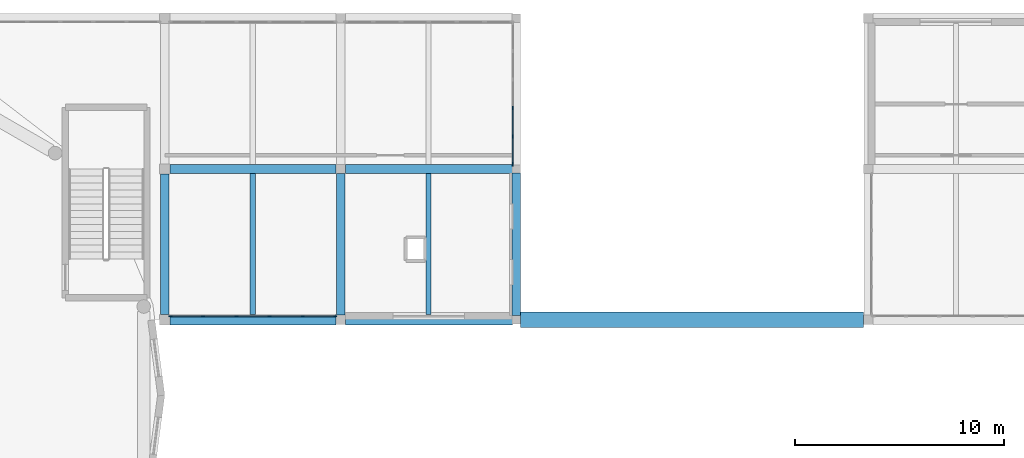
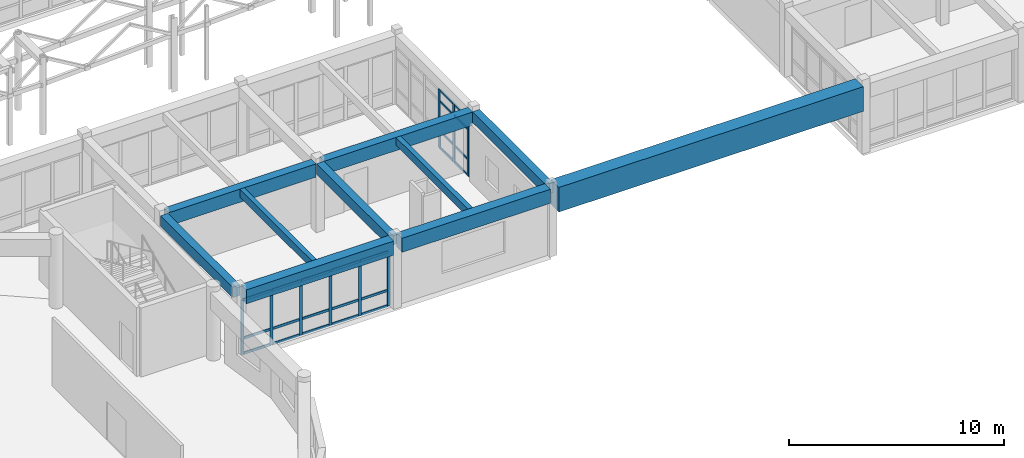
# One storey, part 34 of 147: 32 members, 10 beams, 2 elements without a shape of their own.
"""IFC4 building model written with IfcOpenShell, lengths in metres."""

from ifc_helpers import new_model, si_unit, direction, frame, origin, origin_2d, place, context, subcontext, project, spatial, rectangle, extrude, material, material_profile, profile_set, type_object, element, aggregate, save


model = new_model("IFC4")

# Units and contexts
model_context = context("Model", 3, precision=1e-05, world=origin(), true_north=direction((0.0, 1.0)))
body_context = subcontext(model_context, "Body", "Model", "MODEL_VIEW")
ifc_project = project(units=[si_unit("LENGTHUNIT", "METRE"), si_unit("AREAUNIT", "SQUARE_METRE"), si_unit("VOLUMEUNIT", "CUBIC_METRE"), si_unit("PLANEANGLEUNIT", "RADIAN"), si_unit("MASSUNIT", "GRAM", prefix="KILO")], contexts=[model_context])

# Site, building, storey
site_placement = place(None, origin())
site = spatial("IfcSite", under=ifc_project, at=site_placement, CompositionType="ELEMENT")
building_placement = place(site_placement, origin())
building = spatial("IfcBuilding", under=site, at=building_placement, Name="Malvenik Polytechnic", CompositionType="ELEMENT")
storey_placement = place(building_placement, frame((0.0, 0.0, 5.10009765625)))
storey = spatial("IfcBuildingStorey", under=building, at=storey_placement, Name="L01", CompositionType="ELEMENT", Elevation=5.10009765625)

# Curtain wall, members
ifc_material_1 = material(Name="Anodised aluminium 6060-T6", Category="aluminium")
curtain_wall_type_1 = type_object("IfcCurtainWallType", Name="ARC-CW-CW-02", PredefinedType="NOTDEFINED", material=ifc_material_1)
curtain_wall_1_placement = place(storey_placement, origin())
curtain_wall_1 = element("IfcCurtainWall", 1, at=curtain_wall_1_placement, inside=storey, type_object=curtain_wall_type_1, Name="Unitised Curtain Wall CW-02 L01 #134", PredefinedType="NOTDEFINED")
ifc_material_2 = material(Name="Anodised aluminium", Category="aluminium")
ifc_material_profile_1 = material_profile(ifc_material_2, rectangle(XDim=0.06005859375, YDim=0.159912109375, at=origin_2d()), Name="ALU MULLION 60x160")
ifc_profile_set_1 = profile_set([ifc_material_profile_1], Name="Anodised aluminium")
member_type_1 = type_object("IfcMemberType", Name="ARC-CWM-160", PredefinedType="MULLION", material=ifc_profile_set_1)
member_1_placement = place(storey_placement, frame((41.7470703125, 21.77001953125, 0.0), z_axis=(0.0, 0.0, 1.0), x_axis=(0.0, -1.0, 0.0)))
member_1 = element("IfcMember", 2, at=member_1_placement, type_object=member_type_1, Name="CW-02 mullion 1", PredefinedType="MULLION", context=body_context, shape_type="SweptSolid", body=[
    extrude(rectangle(XDim=0.06005859375, YDim=0.159912109375, at=origin_2d()), origin(), (0.0, 0.0, 1.0), 3.10986328125),
])
member_2_placement = place(storey_placement, frame((40.191162109375, 21.77001953125, 0.0), z_axis=(0.0, 0.0, 1.0), x_axis=(0.0, -1.0, 0.0)))
member_2 = element("IfcMember", 3, at=member_2_placement, type_object=member_type_1, Name="CW-02 mullion 2", PredefinedType="MULLION", context=body_context, shape_type="SweptSolid", body=[
    extrude(rectangle(XDim=0.06005859375, YDim=0.159912109375, at=origin_2d()), origin(), (0.0, 0.0, 1.0), 3.10986328125),
])
member_3_placement = place(storey_placement, frame((38.60546875, 21.77001953125, 0.0), z_axis=(0.0, 0.0, 1.0), x_axis=(0.0, -1.0, 0.0)))
member_3 = element("IfcMember", 4, at=member_3_placement, type_object=member_type_1, Name="CW-02 mullion 3", PredefinedType="MULLION", context=body_context, shape_type="SweptSolid", body=[
    extrude(rectangle(XDim=0.06005859375, YDim=0.159912109375, at=origin_2d()), origin(), (0.0, 0.0, 1.0), 3.10986328125),
])
member_4_placement = place(storey_placement, frame((37.01953125, 21.77001953125, 0.0), z_axis=(0.0, 0.0, 1.0), x_axis=(0.0, -1.0, 0.0)))
member_4 = element("IfcMember", 5, at=member_4_placement, type_object=member_type_1, Name="CW-02 mullion 4", PredefinedType="MULLION", context=body_context, shape_type="SweptSolid", body=[
    extrude(rectangle(XDim=0.06005859375, YDim=0.159912109375, at=origin_2d()), origin(), (0.0, 0.0, 1.0), 3.10986328125),
])
member_5_placement = place(storey_placement, frame((35.433837890625, 21.77001953125, 0.0), z_axis=(0.0, 0.0, 1.0), x_axis=(0.0, -1.0, 0.0)))
member_5 = element("IfcMember", 6, at=member_5_placement, type_object=member_type_1, Name="CW-02 mullion 5", PredefinedType="MULLION", context=body_context, shape_type="SweptSolid", body=[
    extrude(rectangle(XDim=0.06005859375, YDim=0.159912109375, at=origin_2d()), origin(), (0.0, 0.0, 1.0), 3.10986328125),
])
member_6_placement = place(storey_placement, frame((33.8779296875, 21.77001953125, 0.0), z_axis=(0.0, 0.0, 1.0), x_axis=(0.0, -1.0, 0.0)))
member_6 = element("IfcMember", 7, at=member_6_placement, type_object=member_type_1, Name="CW-02 mullion 6", PredefinedType="MULLION", context=body_context, shape_type="SweptSolid", body=[
    extrude(rectangle(XDim=0.06005859375, YDim=0.159912109375, at=origin_2d()), origin(), (0.0, 0.0, 1.0), 3.10986328125),
])

curtain_wall_type_2 = type_object("IfcCurtainWallType", Name="ARC-CW-CW-05", PredefinedType="NOTDEFINED", material=ifc_material_1)
curtain_wall_2_placement = place(storey_placement, origin())
curtain_wall_2 = element("IfcCurtainWall", 8, at=curtain_wall_2_placement, inside=storey, type_object=curtain_wall_type_2, Name="Unitised Curtain Wall CW-05 L01 #133", PredefinedType="NOTDEFINED")
ifc_material_profile_2 = material_profile(ifc_material_2, rectangle(XDim=0.06005859375, YDim=0.179931640625, at=origin_2d()), Name="ALU MULLION 60x180")
ifc_profile_set_2 = profile_set([ifc_material_profile_2], Name="Anodised aluminium")
member_type_2 = type_object("IfcMemberType", Name="ARC-CWM-180", PredefinedType="MULLION", material=ifc_profile_set_2)
member_7_placement = place(storey_placement, frame((50.22998046875, 31.719482421875, 0.0), z_axis=(0.0, 0.0, 1.0), x_axis=(1.0, 0.0, 0.0)))
member_7 = element("IfcMember", 9, at=member_7_placement, type_object=member_type_2, Name="CW-05 mullion 4", PredefinedType="MULLION", context=body_context, shape_type="SweptSolid", body=[
    extrude(rectangle(XDim=0.06005859375, YDim=0.179931640625, at=origin_2d()), origin(), (0.0, 0.0, 1.0), 3.309814453125),
])
member_8_placement = place(storey_placement, frame((50.22998046875, 30.35888671875, 0.0), z_axis=(0.0, 0.0, 1.0), x_axis=(1.0, 0.0, 0.0)))
member_8 = element("IfcMember", 10, at=member_8_placement, type_object=member_type_2, Name="CW-05 mullion 5", PredefinedType="MULLION", context=body_context, shape_type="SweptSolid", body=[
    extrude(rectangle(XDim=0.06005859375, YDim=0.179931640625, at=origin_2d()), origin(), (0.0, 0.0, 1.0), 3.309814453125),
])
member_9_placement = place(storey_placement, frame((50.22998046875, 29.028076171875, 0.0), z_axis=(0.0, 0.0, 1.0), x_axis=(1.0, 0.0, 0.0)))
member_9 = element("IfcMember", 11, at=member_9_placement, type_object=member_type_2, Name="CW-05 mullion 6", PredefinedType="MULLION", context=body_context, shape_type="SweptSolid", body=[
    extrude(rectangle(XDim=0.06005859375, YDim=0.179931640625, at=origin_2d()), origin(), (0.0, 0.0, 1.0), 3.309814453125),
])
ifc_material_profile_3 = material_profile(ifc_material_2, rectangle(XDim=0.06005859375, YDim=0.1201171875, at=origin_2d()), Name="ALU TRANSOM 60x120")
ifc_profile_set_3 = profile_set([ifc_material_profile_3], Name="Anodised aluminium")
member_type_3 = type_object("IfcMemberType", Name="ARC-CWT-120", PredefinedType="USERDEFINED", material=ifc_profile_set_3)
member_10_placement = place(storey_placement, frame((50.22998046875, 31.689697265625, 0.02978515625), z_axis=(0.0, -1.0, 0.0), x_axis=(1.0, 0.0, 0.0)))
member_10 = element("IfcMember", 12, at=member_10_placement, type_object=member_type_3, Name="CW-05 transom 4.1", ObjectType="TRANSOM", PredefinedType="USERDEFINED", context=body_context, shape_type="SweptSolid", body=[
    extrude(rectangle(XDim=0.06005859375, YDim=0.1201171875, at=origin_2d()), origin(), (0.0, 0.0, 1.0), 1.30078125),
])
member_11_placement = place(storey_placement, frame((50.22998046875, 31.689697265625, 0.949951171875), z_axis=(0.0, -1.0, 0.0), x_axis=(1.0, 0.0, 0.0)))
member_11 = element("IfcMember", 13, at=member_11_placement, type_object=member_type_3, Name="CW-05 transom 4.2", ObjectType="TRANSOM", PredefinedType="USERDEFINED", context=body_context, shape_type="SweptSolid", body=[
    extrude(rectangle(XDim=0.06005859375, YDim=0.1201171875, at=origin_2d()), origin(), (0.0, 0.0, 1.0), 1.30078125),
])
member_12_placement = place(storey_placement, frame((50.22998046875, 31.689697265625, 2.659912109375), z_axis=(0.0, -1.0, 0.0), x_axis=(1.0, 0.0, 0.0)))
member_12 = element("IfcMember", 14, at=member_12_placement, type_object=member_type_3, Name="CW-05 transom 4.3", ObjectType="TRANSOM", PredefinedType="USERDEFINED", context=body_context, shape_type="SweptSolid", body=[
    extrude(rectangle(XDim=0.06005859375, YDim=0.1201171875, at=origin_2d()), origin(), (0.0, 0.0, 1.0), 1.30078125),
])
member_13_placement = place(storey_placement, frame((50.22998046875, 31.689697265625, 3.27978515625), z_axis=(0.0, -1.0, 0.0), x_axis=(1.0, 0.0, 0.0)))
member_13 = element("IfcMember", 15, at=member_13_placement, type_object=member_type_3, Name="CW-05 transom 4.4", ObjectType="TRANSOM", PredefinedType="USERDEFINED", context=body_context, shape_type="SweptSolid", body=[
    extrude(rectangle(XDim=0.06005859375, YDim=0.1201171875, at=origin_2d()), origin(), (0.0, 0.0, 1.0), 1.30078125),
])
member_14_placement = place(storey_placement, frame((50.22998046875, 30.328857421875, 0.02978515625), z_axis=(0.0, -1.0, 0.0), x_axis=(1.0, 0.0, 0.0)))
member_14 = element("IfcMember", 16, at=member_14_placement, type_object=member_type_3, Name="CW-05 transom 5.1", ObjectType="TRANSOM", PredefinedType="USERDEFINED", context=body_context, shape_type="SweptSolid", body=[
    extrude(rectangle(XDim=0.06005859375, YDim=0.1201171875, at=origin_2d()), origin(), (0.0, 0.0, 1.0), 1.270751953125),
])
member_15_placement = place(storey_placement, frame((50.22998046875, 30.328857421875, 0.949951171875), z_axis=(0.0, -1.0, 0.0), x_axis=(1.0, 0.0, 0.0)))
member_15 = element("IfcMember", 17, at=member_15_placement, type_object=member_type_3, Name="CW-05 transom 5.2", ObjectType="TRANSOM", PredefinedType="USERDEFINED", context=body_context, shape_type="SweptSolid", body=[
    extrude(rectangle(XDim=0.06005859375, YDim=0.1201171875, at=origin_2d()), origin(), (0.0, 0.0, 1.0), 1.270751953125),
])
member_16_placement = place(storey_placement, frame((50.22998046875, 30.328857421875, 2.659912109375), z_axis=(0.0, -1.0, 0.0), x_axis=(1.0, 0.0, 0.0)))
member_16 = element("IfcMember", 18, at=member_16_placement, type_object=member_type_3, Name="CW-05 transom 5.3", ObjectType="TRANSOM", PredefinedType="USERDEFINED", context=body_context, shape_type="SweptSolid", body=[
    extrude(rectangle(XDim=0.06005859375, YDim=0.1201171875, at=origin_2d()), origin(), (0.0, 0.0, 1.0), 1.270751953125),
])
member_17_placement = place(storey_placement, frame((50.22998046875, 30.328857421875, 3.27978515625), z_axis=(0.0, -1.0, 0.0), x_axis=(1.0, 0.0, 0.0)))
member_17 = element("IfcMember", 19, at=member_17_placement, type_object=member_type_3, Name="CW-05 transom 5.4", ObjectType="TRANSOM", PredefinedType="USERDEFINED", context=body_context, shape_type="SweptSolid", body=[
    extrude(rectangle(XDim=0.06005859375, YDim=0.1201171875, at=origin_2d()), origin(), (0.0, 0.0, 1.0), 1.270751953125),
])
aggregate(curtain_wall_2, [member_7, member_8, member_9, member_10, member_11, member_12, member_13, member_14, member_15, member_16, member_17])

# Member
ifc_material_profile_4 = material_profile(ifc_material_2, rectangle(XDim=0.06005859375, YDim=0.139892578125, at=origin_2d()), Name="ALU TRANSOM 60x140")
ifc_profile_set_4 = profile_set([ifc_material_profile_4], Name="Anodised aluminium")
member_type_4 = type_object("IfcMemberType", Name="ARC-CWT-140", PredefinedType="USERDEFINED", material=ifc_profile_set_4)
member_18_placement = place(storey_placement, frame((41.717041015625, 21.77001953125, 0.02978515625), z_axis=(-1.0, 0.0, 0.0), x_axis=(0.0, -1.0, 0.0)))
member_18 = element("IfcMember", 20, at=member_18_placement, type_object=member_type_4, Name="CW-02 transom 1.1", ObjectType="TRANSOM", PredefinedType="USERDEFINED", context=body_context, shape_type="SweptSolid", body=[
    extrude(rectangle(XDim=0.06005859375, YDim=0.139892578125, at=origin_2d()), origin(), (0.0, 0.0, 1.0), 1.495849609375),
])

member_19_placement = place(storey_placement, frame((41.717041015625, 21.77001953125, 0.89990234375), z_axis=(-1.0, 0.0, 0.0), x_axis=(0.0, -1.0, 0.0)))
member_19 = element("IfcMember", 21, at=member_19_placement, type_object=member_type_4, Name="CW-02 transom 1.2", ObjectType="TRANSOM", PredefinedType="USERDEFINED", context=body_context, shape_type="SweptSolid", body=[
    extrude(rectangle(XDim=0.06005859375, YDim=0.139892578125, at=origin_2d()), origin(), (0.0, 0.0, 1.0), 1.495849609375),
])

member_20_placement = place(storey_placement, frame((41.717041015625, 21.77001953125, 3.079833984375), z_axis=(-1.0, 0.0, 0.0), x_axis=(0.0, -1.0, 0.0)))
member_20 = element("IfcMember", 22, at=member_20_placement, type_object=member_type_4, Name="CW-02 transom 1.3", ObjectType="TRANSOM", PredefinedType="USERDEFINED", context=body_context, shape_type="SweptSolid", body=[
    extrude(rectangle(XDim=0.06005859375, YDim=0.139892578125, at=origin_2d()), origin(), (0.0, 0.0, 1.0), 1.495849609375),
])

member_21_placement = place(storey_placement, frame((40.1611328125, 21.77001953125, 0.02978515625), z_axis=(-1.0, 0.0, 0.0), x_axis=(0.0, -1.0, 0.0)))
member_21 = element("IfcMember", 23, at=member_21_placement, type_object=member_type_4, Name="CW-02 transom 2.1", ObjectType="TRANSOM", PredefinedType="USERDEFINED", context=body_context, shape_type="SweptSolid", body=[
    extrude(rectangle(XDim=0.06005859375, YDim=0.139892578125, at=origin_2d()), origin(), (0.0, 0.0, 1.0), 1.525634765625),
])

member_22_placement = place(storey_placement, frame((40.1611328125, 21.77001953125, 0.89990234375), z_axis=(-1.0, 0.0, 0.0), x_axis=(0.0, -1.0, 0.0)))
member_22 = element("IfcMember", 24, at=member_22_placement, type_object=member_type_4, Name="CW-02 transom 2.2", ObjectType="TRANSOM", PredefinedType="USERDEFINED", context=body_context, shape_type="SweptSolid", body=[
    extrude(rectangle(XDim=0.06005859375, YDim=0.139892578125, at=origin_2d()), origin(), (0.0, 0.0, 1.0), 1.525634765625),
])

member_23_placement = place(storey_placement, frame((40.1611328125, 21.77001953125, 3.079833984375), z_axis=(-1.0, 0.0, 0.0), x_axis=(0.0, -1.0, 0.0)))
member_23 = element("IfcMember", 25, at=member_23_placement, type_object=member_type_4, Name="CW-02 transom 2.3", ObjectType="TRANSOM", PredefinedType="USERDEFINED", context=body_context, shape_type="SweptSolid", body=[
    extrude(rectangle(XDim=0.06005859375, YDim=0.139892578125, at=origin_2d()), origin(), (0.0, 0.0, 1.0), 1.525634765625),
])

member_24_placement = place(storey_placement, frame((38.575439453125, 21.77001953125, 0.02978515625), z_axis=(-1.0, 0.0, 0.0), x_axis=(0.0, -1.0, 0.0)))
member_24 = element("IfcMember", 26, at=member_24_placement, type_object=member_type_4, Name="CW-02 transom 3.1", ObjectType="TRANSOM", PredefinedType="USERDEFINED", context=body_context, shape_type="SweptSolid", body=[
    extrude(rectangle(XDim=0.06005859375, YDim=0.139892578125, at=origin_2d()), origin(), (0.0, 0.0, 1.0), 1.52587890625),
])

member_25_placement = place(storey_placement, frame((38.575439453125, 21.77001953125, 0.89990234375), z_axis=(-1.0, 0.0, 0.0), x_axis=(0.0, -1.0, 0.0)))
member_25 = element("IfcMember", 27, at=member_25_placement, type_object=member_type_4, Name="CW-02 transom 3.2", ObjectType="TRANSOM", PredefinedType="USERDEFINED", context=body_context, shape_type="SweptSolid", body=[
    extrude(rectangle(XDim=0.06005859375, YDim=0.139892578125, at=origin_2d()), origin(), (0.0, 0.0, 1.0), 1.52587890625),
])

member_26_placement = place(storey_placement, frame((38.575439453125, 21.77001953125, 3.079833984375), z_axis=(-1.0, 0.0, 0.0), x_axis=(0.0, -1.0, 0.0)))
member_26 = element("IfcMember", 28, at=member_26_placement, type_object=member_type_4, Name="CW-02 transom 3.3", ObjectType="TRANSOM", PredefinedType="USERDEFINED", context=body_context, shape_type="SweptSolid", body=[
    extrude(rectangle(XDim=0.06005859375, YDim=0.139892578125, at=origin_2d()), origin(), (0.0, 0.0, 1.0), 1.52587890625),
])

member_27_placement = place(storey_placement, frame((36.989501953125, 21.77001953125, 0.02978515625), z_axis=(-1.0, 0.0, 0.0), x_axis=(0.0, -1.0, 0.0)))
member_27 = element("IfcMember", 29, at=member_27_placement, type_object=member_type_4, Name="CW-02 transom 4.1", ObjectType="TRANSOM", PredefinedType="USERDEFINED", context=body_context, shape_type="SweptSolid", body=[
    extrude(rectangle(XDim=0.06005859375, YDim=0.139892578125, at=origin_2d()), origin(), (0.0, 0.0, 1.0), 1.525634765625),
])

member_28_placement = place(storey_placement, frame((36.989501953125, 21.77001953125, 0.89990234375), z_axis=(-1.0, 0.0, 0.0), x_axis=(0.0, -1.0, 0.0)))
member_28 = element("IfcMember", 30, at=member_28_placement, type_object=member_type_4, Name="CW-02 transom 4.2", ObjectType="TRANSOM", PredefinedType="USERDEFINED", context=body_context, shape_type="SweptSolid", body=[
    extrude(rectangle(XDim=0.06005859375, YDim=0.139892578125, at=origin_2d()), origin(), (0.0, 0.0, 1.0), 1.525634765625),
])

member_29_placement = place(storey_placement, frame((36.989501953125, 21.77001953125, 3.079833984375), z_axis=(-1.0, 0.0, 0.0), x_axis=(0.0, -1.0, 0.0)))
member_29 = element("IfcMember", 31, at=member_29_placement, type_object=member_type_4, Name="CW-02 transom 4.3", ObjectType="TRANSOM", PredefinedType="USERDEFINED", context=body_context, shape_type="SweptSolid", body=[
    extrude(rectangle(XDim=0.06005859375, YDim=0.139892578125, at=origin_2d()), origin(), (0.0, 0.0, 1.0), 1.525634765625),
])

member_30_placement = place(storey_placement, frame((35.40380859375, 21.77001953125, 0.02978515625), z_axis=(-1.0, 0.0, 0.0), x_axis=(0.0, -1.0, 0.0)))
member_30 = element("IfcMember", 32, at=member_30_placement, type_object=member_type_4, Name="CW-02 transom 5.1", ObjectType="TRANSOM", PredefinedType="USERDEFINED", context=body_context, shape_type="SweptSolid", body=[
    extrude(rectangle(XDim=0.06005859375, YDim=0.139892578125, at=origin_2d()), origin(), (0.0, 0.0, 1.0), 1.495849609375),
])

member_31_placement = place(storey_placement, frame((35.40380859375, 21.77001953125, 0.89990234375), z_axis=(-1.0, 0.0, 0.0), x_axis=(0.0, -1.0, 0.0)))
member_31 = element("IfcMember", 33, at=member_31_placement, type_object=member_type_4, Name="CW-02 transom 5.2", ObjectType="TRANSOM", PredefinedType="USERDEFINED", context=body_context, shape_type="SweptSolid", body=[
    extrude(rectangle(XDim=0.06005859375, YDim=0.139892578125, at=origin_2d()), origin(), (0.0, 0.0, 1.0), 1.495849609375),
])

member_32_placement = place(storey_placement, frame((35.40380859375, 21.77001953125, 3.079833984375), z_axis=(-1.0, 0.0, 0.0), x_axis=(0.0, -1.0, 0.0)))
member_32 = element("IfcMember", 34, at=member_32_placement, type_object=member_type_4, Name="CW-02 transom 5.3", ObjectType="TRANSOM", PredefinedType="USERDEFINED", context=body_context, shape_type="SweptSolid", body=[
    extrude(rectangle(XDim=0.06005859375, YDim=0.139892578125, at=origin_2d()), origin(), (0.0, 0.0, 1.0), 1.495849609375),
])

aggregate(curtain_wall_1, [member_1, member_2, member_3, member_4, member_5, member_6, member_18, member_19, member_20, member_21, member_22, member_23, member_24, member_25, member_26, member_27, member_28, member_29, member_30, member_31, member_32])

# Beams
ifc_material_3 = material(Name="Concrete C35/45", Category="concrete")
ifc_material_profile_5 = material_profile(ifc_material_3, rectangle(XDim=0.449951171875, YDim=0.75, at=origin_2d()), Name="RC BM 450x750")
ifc_profile_set_5 = profile_set([ifc_material_profile_5], Name="Concrete C35/45")
beam_type_1 = type_object("IfcBeamType", Name="STR-BM-B-03", PredefinedType="BEAM", material=ifc_profile_set_5)
beam_1_placement = place(storey_placement, frame((33.847900390625, 28.800048828125, 3.544921875), z_axis=(1.0, 0.0, 0.0), x_axis=(0.0, 1.0, 0.0)))
element("IfcBeam", 35, at=beam_1_placement, inside=storey, type_object=beam_type_1, Name="Primary Beam B-03 L01 #979", PredefinedType="BEAM", context=body_context, shape_type="SweptSolid", body=[
    extrude(rectangle(XDim=0.449951171875, YDim=0.75, at=origin_2d()), origin(), (0.0, 0.0, 1.0), 7.92919921875),
])
beam_2_placement = place(storey_placement, frame((42.222900390625, 28.800048828125, 3.544921875), z_axis=(1.0, 0.0, 0.0), x_axis=(0.0, 1.0, 0.0)))
element("IfcBeam", 36, at=beam_2_placement, inside=storey, type_object=beam_type_1, Name="Primary Beam B-03 L01 #980", PredefinedType="BEAM", context=body_context, shape_type="SweptSolid", body=[
    extrude(rectangle(XDim=0.449951171875, YDim=0.75, at=origin_2d()), origin(), (0.0, 0.0, 1.0), 7.97900390625),
])
ifc_material_profile_6 = material_profile(ifc_material_3, rectangle(XDim=0.39990234375, YDim=0.60009765625, at=origin_2d()), Name="RC BM 400x600")
ifc_profile_set_6 = profile_set([ifc_material_profile_6], Name="Concrete C35/45")
beam_type_2 = type_object("IfcBeamType", Name="STR-BM-B-06", PredefinedType="BEAM", material=ifc_profile_set_6)
beam_3_placement = place(storey_placement, frame((33.60009765625, 21.847900390625, 3.619873046875), z_axis=(0.0, 1.0, 0.0), x_axis=(-1.0, 0.0, 0.0)))
element("IfcBeam", 37, at=beam_3_placement, inside=storey, type_object=beam_type_2, Name="Transverse Beam B-06 L01 #1145", PredefinedType="BEAM", context=body_context, shape_type="SweptSolid", body=[
    extrude(rectangle(XDim=0.39990234375, YDim=0.60009765625, at=origin_2d()), origin(), (0.0, 0.0, 1.0), 6.7041015625),
])
beam_4_placement = place(storey_placement, frame((42.0, 21.822998046875, 3.619873046875), z_axis=(0.0, 1.0, 0.0), x_axis=(-1.0, 0.0, 0.0)))
element("IfcBeam", 38, at=beam_4_placement, inside=storey, type_object=beam_type_2, Name="Transverse Beam B-06 L01 #1153", PredefinedType="BEAM", context=body_context, shape_type="SweptSolid", body=[
    extrude(rectangle(XDim=0.39990234375, YDim=0.60009765625, at=origin_2d()), origin(), (0.0, 0.0, 1.0), 6.75390625),
])
beam_5_placement = place(storey_placement, frame((50.39990234375, 21.798095703125, 3.619873046875), z_axis=(0.0, 1.0, 0.0), x_axis=(-1.0, 0.0, 0.0)))
element("IfcBeam", 39, at=beam_5_placement, inside=storey, type_object=beam_type_2, Name="Transverse Beam B-06 L01 #1159", PredefinedType="BEAM", context=body_context, shape_type="SweptSolid", body=[
    extrude(rectangle(XDim=0.39990234375, YDim=0.60009765625, at=origin_2d()), origin(), (0.0, 0.0, 1.0), 6.803955078125),
])
ifc_material_4 = material(Name="Concrete C30/37", Category="concrete")
ifc_material_profile_7 = material_profile(ifc_material_4, rectangle(XDim=0.25, YDim=0.449951171875, at=origin_2d()), Name="RC JST 250x450")
ifc_profile_set_7 = profile_set([ifc_material_profile_7], Name="Concrete C30/37")
beam_type_3 = type_object("IfcBeamType", Name="STR-BM-J-02", PredefinedType="JOIST", material=ifc_profile_set_7)
for number, where, z_axis, x_axis, name in (
    (40, (37.800048828125, 21.85791015625, 3.69482421875), (0.0, 1.0, 0.0), (-1.0, 0.0, 0.0), "Secondary Rib Joist J-02 L01 #1261"),
    (41, (46.199951171875, 21.85791015625, 3.69482421875), (0.0, 1.0, 0.0), (-1.0, 0.0, 0.0), "Secondary Rib Joist J-02 L01 #1267"),
):
    element("IfcBeam", number, at=place(storey_placement, frame(where, z_axis=z_axis, x_axis=x_axis)), inside=storey, type_object=beam_type_3, Name=name, PredefinedType="JOIST", context=body_context, shape_type="SweptSolid", body=[
        extrude(rectangle(XDim=0.25, YDim=0.449951171875, at=origin_2d()), origin(), (0.0, 0.0, 1.0), 6.718994140625),
    ])
ifc_material_5 = material(Name="Precast concrete C40/50", Category="concrete")
ifc_material_profile_8 = material_profile(ifc_material_5, rectangle(XDim=0.52001953125, YDim=0.800048828125, at=origin_2d()), Name="PC SPN 520x800")
ifc_profile_set_8 = profile_set([ifc_material_profile_8], Name="Precast concrete C40/50")
beam_type_4 = type_object("IfcBeamType", Name="STR-BM-SP-01", PredefinedType="SPANDREL", material=ifc_profile_set_8)
beam_6_placement = place(storey_placement, frame((33.847900390625, 21.60009765625, 3.52001953125), z_axis=(1.0, 0.0, 0.0), x_axis=(0.0, 1.0, 0.0)))
element("IfcBeam", 42, at=beam_6_placement, inside=storey, type_object=beam_type_4, Name="Primary Beam SP-01 L01 #969", PredefinedType="SPANDREL", context=body_context, shape_type="SweptSolid", body=[
    extrude(rectangle(XDim=0.52001953125, YDim=0.800048828125, at=origin_2d()), origin(), (0.0, 0.0, 1.0), 7.92919921875),
])
beam_7_placement = place(storey_placement, frame((42.222900390625, 21.60009765625, 3.52001953125), z_axis=(1.0, 0.0, 0.0), x_axis=(0.0, 1.0, 0.0)))
element("IfcBeam", 43, at=beam_7_placement, inside=storey, type_object=beam_type_4, Name="Primary Beam SP-01 L01 #970", PredefinedType="SPANDREL", context=body_context, shape_type="SweptSolid", body=[
    extrude(rectangle(XDim=0.52001953125, YDim=0.800048828125, at=origin_2d()), origin(), (0.0, 0.0, 1.0), 7.97900390625),
])
ifc_material_6 = material(Name="Concrete C40/50", Category="concrete")
ifc_material_profile_9 = material_profile(ifc_material_6, rectangle(XDim=0.75, YDim=1.39990234375, at=origin_2d()), Name="RC TG 750x1400")
ifc_profile_set_9 = profile_set([ifc_material_profile_9], Name="Concrete C40/50")
beam_type_5 = type_object("IfcBeamType", Name="STR-BM-TG-02", PredefinedType="BEAM", material=ifc_profile_set_9)
beam_8_placement = place(storey_placement, frame((50.597900390625, 21.60009765625, 3.25), z_axis=(1.0, 0.0, 0.0), x_axis=(0.0, 1.0, 0.0)))
element("IfcBeam", 44, at=beam_8_placement, inside=storey, type_object=beam_type_5, Name="Portal Transfer Girder TG-02 L01", PredefinedType="BEAM", context=body_context, shape_type="SweptSolid", body=[
    extrude(rectangle(XDim=0.75, YDim=1.39990234375, at=origin_2d()), origin(), (0.0, 0.0, 1.0), 16.379150390625),
])

save(model, "model.ifc")
